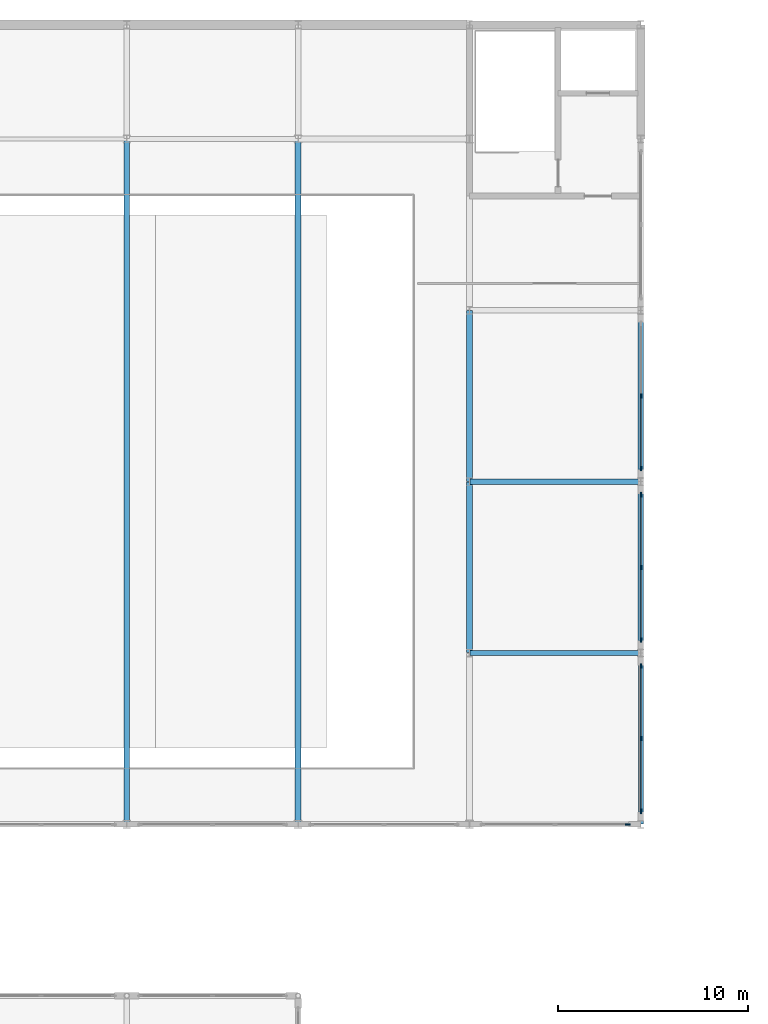
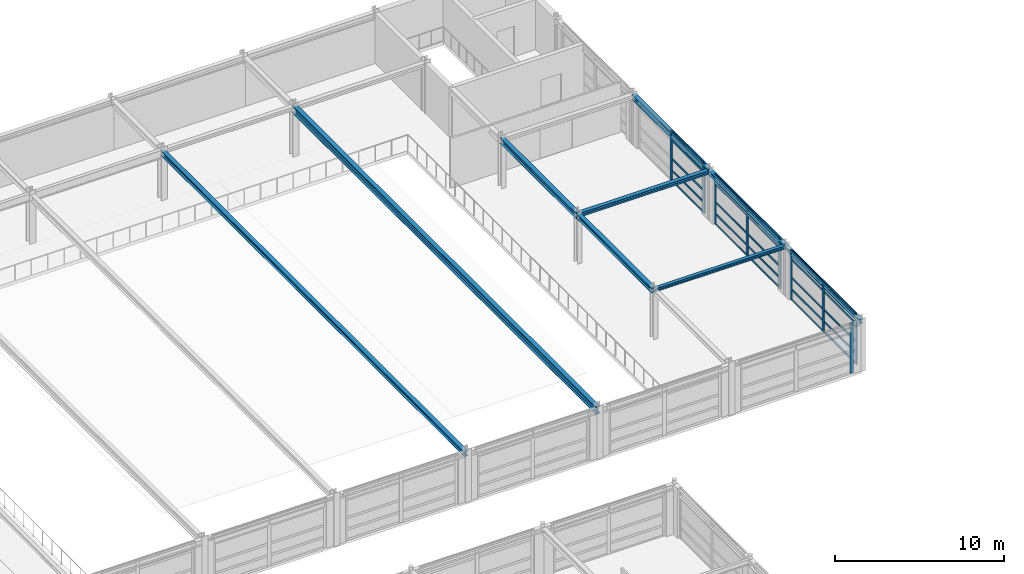
# One storey, part 48 of 79: 36 members, 7 beams, 4 elements without a shape of their own.
"""IFC4 building model written with IfcOpenShell, lengths in metres."""

from ifc_helpers import new_model, si_unit, direction, frame, origin, origin_2d, place, context, subcontext, project, spatial, rectangle, i_section, extrude, material, material_profile, profile_set, type_object, element, aggregate, save


model = new_model("IFC4")

# Units and contexts
model_context = context("Model", 3, precision=1e-05, world=origin(), true_north=direction((0.0, 1.0)))
body_context = subcontext(model_context, "Body", "Model", "MODEL_VIEW")
ifc_project = project(units=[si_unit("LENGTHUNIT", "METRE"), si_unit("AREAUNIT", "SQUARE_METRE"), si_unit("VOLUMEUNIT", "CUBIC_METRE"), si_unit("PLANEANGLEUNIT", "RADIAN"), si_unit("MASSUNIT", "GRAM", prefix="KILO")], contexts=[model_context])

# Site, building, storey
site_placement = place(None, origin())
site = spatial("IfcSite", under=ifc_project, at=site_placement, CompositionType="ELEMENT")
building_placement = place(site_placement, origin())
building = spatial("IfcBuilding", under=site, at=building_placement, Name="Palais des Congres Ocreval", CompositionType="ELEMENT")
storey_placement = place(building_placement, frame((0.0, 0.0, 4.320068359375)))
storey = spatial("IfcBuildingStorey", under=building, at=storey_placement, Name="L01", CompositionType="ELEMENT", Elevation=4.320068359375)

# Curtain wall, members
ifc_material_1 = material(Name="Anodized bronze aluminium and low-E glass", Category="glass")
curtain_wall_type = type_object("IfcCurtainWallType", Name="Unitised Curtain Wall 7900x3660", PredefinedType="USERDEFINED", material=ifc_material_1)
curtain_wall_1_placement = place(storey_placement, origin())
curtain_wall_1 = element("IfcCurtainWall", 1, at=curtain_wall_1_placement, inside=storey, type_object=curtain_wall_type, Name="Unitised Curtain Wall CW02 L01", ObjectType="UNITISED CURTAIN WALL", PredefinedType="USERDEFINED")
ifc_material_2 = material(Name="Anodized bronze aluminium", Category="aluminium")
ifc_material_profile_1 = material_profile(ifc_material_2, rectangle(XDim=0.074951171875, YDim=0.239990234375, at=origin_2d()), Name="ALU 75x240")
ifc_profile_set_1 = profile_set([ifc_material_profile_1], Name="Anodized bronze aluminium")
member_type_1 = type_object("IfcMemberType", Name="Curtain Wall Mullion ALU 75x240", PredefinedType="MULLION", material=ifc_profile_set_1)
member_1_placement = place(storey_placement, frame((162.0, 94.5, 0.0), z_axis=(0.0, 0.0, 1.0), x_axis=(1.0, 0.0, 0.0)))
member_1 = element("IfcMember", 2, at=member_1_placement, type_object=member_type_1, Name="Curtain Wall Mullion ML01", PredefinedType="MULLION", context=body_context, shape_type="SweptSolid", body=[
    extrude(rectangle(XDim=0.074951171875, YDim=0.239990234375, at=origin_2d()), origin(), (0.0, 0.0, 1.0), 3.599853515625),
])
member_2_placement = place(storey_placement, frame((162.0, 90.6875, 0.0), z_axis=(0.0, 0.0, 1.0), x_axis=(1.0, 0.0, 0.0)))
member_2 = element("IfcMember", 3, at=member_2_placement, type_object=member_type_1, Name="Curtain Wall Mullion ML01", PredefinedType="MULLION", context=body_context, shape_type="SweptSolid", body=[
    extrude(rectangle(XDim=0.074951171875, YDim=0.239990234375, at=origin_2d()), origin(), (0.0, 0.0, 1.0), 3.599853515625),
])

curtain_wall_2_placement = place(storey_placement, origin())
curtain_wall_2 = element("IfcCurtainWall", 4, at=curtain_wall_2_placement, inside=storey, type_object=curtain_wall_type, Name="Unitised Curtain Wall CW02 L01", ObjectType="UNITISED CURTAIN WALL", PredefinedType="USERDEFINED")
member_3_placement = place(storey_placement, frame((162.0, 89.3125, 0.0), z_axis=(0.0, 0.0, 1.0), x_axis=(1.0, 0.0, 0.0)))
member_3 = element("IfcMember", 5, at=member_3_placement, type_object=member_type_1, Name="Curtain Wall Mullion ML01", PredefinedType="MULLION", context=body_context, shape_type="SweptSolid", body=[
    extrude(rectangle(XDim=0.074951171875, YDim=0.239990234375, at=origin_2d()), origin(), (0.0, 0.0, 1.0), 3.599853515625),
])
member_4_placement = place(storey_placement, frame((162.0, 85.5, 0.0), z_axis=(0.0, 0.0, 1.0), x_axis=(1.0, 0.0, 0.0)))
member_4 = element("IfcMember", 6, at=member_4_placement, type_object=member_type_1, Name="Curtain Wall Mullion ML01", PredefinedType="MULLION", context=body_context, shape_type="SweptSolid", body=[
    extrude(rectangle(XDim=0.074951171875, YDim=0.239990234375, at=origin_2d()), origin(), (0.0, 0.0, 1.0), 3.599853515625),
])
member_5_placement = place(storey_placement, frame((162.0, 81.6875, 0.0), z_axis=(0.0, 0.0, 1.0), x_axis=(1.0, 0.0, 0.0)))
member_5 = element("IfcMember", 7, at=member_5_placement, type_object=member_type_1, Name="Curtain Wall Mullion ML01", PredefinedType="MULLION", context=body_context, shape_type="SweptSolid", body=[
    extrude(rectangle(XDim=0.074951171875, YDim=0.239990234375, at=origin_2d()), origin(), (0.0, 0.0, 1.0), 3.599853515625),
])

curtain_wall_3_placement = place(storey_placement, origin())
curtain_wall_3 = element("IfcCurtainWall", 8, at=curtain_wall_3_placement, inside=storey, type_object=curtain_wall_type, Name="Unitised Curtain Wall CW02 L01", ObjectType="UNITISED CURTAIN WALL", PredefinedType="USERDEFINED")
member_6_placement = place(storey_placement, frame((162.0, 80.3125, 0.0), z_axis=(0.0, 0.0, 1.0), x_axis=(1.0, 0.0, 0.0)))
member_6 = element("IfcMember", 9, at=member_6_placement, type_object=member_type_1, Name="Curtain Wall Mullion ML01", PredefinedType="MULLION", context=body_context, shape_type="SweptSolid", body=[
    extrude(rectangle(XDim=0.074951171875, YDim=0.239990234375, at=origin_2d()), origin(), (0.0, 0.0, 1.0), 3.599853515625),
])
member_7_placement = place(storey_placement, frame((162.0, 76.5, 0.0), z_axis=(0.0, 0.0, 1.0), x_axis=(1.0, 0.0, 0.0)))
member_7 = element("IfcMember", 10, at=member_7_placement, type_object=member_type_1, Name="Curtain Wall Mullion ML01", PredefinedType="MULLION", context=body_context, shape_type="SweptSolid", body=[
    extrude(rectangle(XDim=0.074951171875, YDim=0.239990234375, at=origin_2d()), origin(), (0.0, 0.0, 1.0), 3.599853515625),
])
member_8_placement = place(storey_placement, frame((162.0, 72.6875, 0.0), z_axis=(0.0, 0.0, 1.0), x_axis=(1.0, 0.0, 0.0)))
member_8 = element("IfcMember", 11, at=member_8_placement, type_object=member_type_1, Name="Curtain Wall Mullion ML01", PredefinedType="MULLION", context=body_context, shape_type="SweptSolid", body=[
    extrude(rectangle(XDim=0.074951171875, YDim=0.239990234375, at=origin_2d()), origin(), (0.0, 0.0, 1.0), 3.599853515625),
])

# Curtain wall, member
curtain_wall_4_placement = place(storey_placement, origin())
curtain_wall_4 = element("IfcCurtainWall", 12, at=curtain_wall_4_placement, inside=storey, type_object=curtain_wall_type, Name="Unitised Curtain Wall CW02 L01", ObjectType="UNITISED CURTAIN WALL", PredefinedType="USERDEFINED")
member_9_placement = place(storey_placement, frame((161.3125, 72.0, 0.0), z_axis=(0.0, 0.0, 1.0), x_axis=(0.0, -1.0, 0.0)))
member_9 = element("IfcMember", 13, at=member_9_placement, type_object=member_type_1, Name="Curtain Wall Mullion ML01", PredefinedType="MULLION", context=body_context, shape_type="SweptSolid", body=[
    extrude(rectangle(XDim=0.074951171875, YDim=0.239990234375, at=origin_2d()), origin(), (0.0, 0.0, 1.0), 3.599853515625),
])
aggregate(curtain_wall_4, [member_9])

# Member
ifc_material_profile_2 = material_profile(ifc_material_2, rectangle(XDim=0.06005859375, YDim=0.14990234375, at=origin_2d()), Name="ALU 60x150")
ifc_profile_set_2 = profile_set([ifc_material_profile_2], Name="Anodized bronze aluminium")
member_type_2 = type_object("IfcMemberType", Name="Curtain Wall Transom ALU 60x150", PredefinedType="USERDEFINED", material=ifc_profile_set_2)
member_10_placement = place(storey_placement, frame((162.0, 94.46240234375, 0.030029296875), z_axis=(0.0, -1.0, 0.0), x_axis=(1.0, 0.0, 0.0)))
member_10 = element("IfcMember", 14, at=member_10_placement, type_object=member_type_2, Name="Curtain Wall Transom TR01", ObjectType="TRANSOM", PredefinedType="USERDEFINED", context=body_context, shape_type="SweptSolid", body=[
    extrude(rectangle(XDim=0.06005859375, YDim=0.14990234375, at=origin_2d()), origin(), (0.0, 0.0, 1.0), 3.7373046875),
])

member_11_placement = place(storey_placement, frame((162.0, 94.46240234375, 0.780029296875), z_axis=(0.0, -1.0, 0.0), x_axis=(1.0, 0.0, 0.0)))
member_11 = element("IfcMember", 15, at=member_11_placement, type_object=member_type_2, Name="Curtain Wall Transom TR01", ObjectType="TRANSOM", PredefinedType="USERDEFINED", context=body_context, shape_type="SweptSolid", body=[
    extrude(rectangle(XDim=0.06005859375, YDim=0.14990234375, at=origin_2d()), origin(), (0.0, 0.0, 1.0), 3.7373046875),
])

member_12_placement = place(storey_placement, frame((162.0, 94.46240234375, 1.622314453125), z_axis=(0.0, -1.0, 0.0), x_axis=(1.0, 0.0, 0.0)))
member_12 = element("IfcMember", 16, at=member_12_placement, type_object=member_type_2, Name="Curtain Wall Transom TR01", ObjectType="TRANSOM", PredefinedType="USERDEFINED", context=body_context, shape_type="SweptSolid", body=[
    extrude(rectangle(XDim=0.06005859375, YDim=0.14990234375, at=origin_2d()), origin(), (0.0, 0.0, 1.0), 3.7373046875),
])

member_13_placement = place(storey_placement, frame((162.0, 94.46240234375, 2.949951171875), z_axis=(0.0, -1.0, 0.0), x_axis=(1.0, 0.0, 0.0)))
member_13 = element("IfcMember", 17, at=member_13_placement, type_object=member_type_2, Name="Curtain Wall Transom TR01", ObjectType="TRANSOM", PredefinedType="USERDEFINED", context=body_context, shape_type="SweptSolid", body=[
    extrude(rectangle(XDim=0.06005859375, YDim=0.14990234375, at=origin_2d()), origin(), (0.0, 0.0, 1.0), 3.7373046875),
])

member_14_placement = place(storey_placement, frame((162.0, 94.46240234375, 3.56982421875), z_axis=(0.0, -1.0, 0.0), x_axis=(1.0, 0.0, 0.0)))
member_14 = element("IfcMember", 18, at=member_14_placement, type_object=member_type_2, Name="Curtain Wall Transom TR01", ObjectType="TRANSOM", PredefinedType="USERDEFINED", context=body_context, shape_type="SweptSolid", body=[
    extrude(rectangle(XDim=0.06005859375, YDim=0.14990234375, at=origin_2d()), origin(), (0.0, 0.0, 1.0), 3.7373046875),
])

aggregate(curtain_wall_1, [member_1, member_2, member_10, member_11, member_12, member_13, member_14])

member_15_placement = place(storey_placement, frame((162.0, 89.27490234375, 0.030029296875), z_axis=(0.0, -1.0, 0.0), x_axis=(1.0, 0.0, 0.0)))
member_15 = element("IfcMember", 19, at=member_15_placement, type_object=member_type_2, Name="Curtain Wall Transom TR01", ObjectType="TRANSOM", PredefinedType="USERDEFINED", context=body_context, shape_type="SweptSolid", body=[
    extrude(rectangle(XDim=0.06005859375, YDim=0.14990234375, at=origin_2d()), origin(), (0.0, 0.0, 1.0), 3.7373046875),
])

member_16_placement = place(storey_placement, frame((162.0, 89.27490234375, 0.780029296875), z_axis=(0.0, -1.0, 0.0), x_axis=(1.0, 0.0, 0.0)))
member_16 = element("IfcMember", 20, at=member_16_placement, type_object=member_type_2, Name="Curtain Wall Transom TR01", ObjectType="TRANSOM", PredefinedType="USERDEFINED", context=body_context, shape_type="SweptSolid", body=[
    extrude(rectangle(XDim=0.06005859375, YDim=0.14990234375, at=origin_2d()), origin(), (0.0, 0.0, 1.0), 3.7373046875),
])

member_17_placement = place(storey_placement, frame((162.0, 89.27490234375, 1.622314453125), z_axis=(0.0, -1.0, 0.0), x_axis=(1.0, 0.0, 0.0)))
member_17 = element("IfcMember", 21, at=member_17_placement, type_object=member_type_2, Name="Curtain Wall Transom TR01", ObjectType="TRANSOM", PredefinedType="USERDEFINED", context=body_context, shape_type="SweptSolid", body=[
    extrude(rectangle(XDim=0.06005859375, YDim=0.14990234375, at=origin_2d()), origin(), (0.0, 0.0, 1.0), 3.7373046875),
])

member_18_placement = place(storey_placement, frame((162.0, 89.27490234375, 2.949951171875), z_axis=(0.0, -1.0, 0.0), x_axis=(1.0, 0.0, 0.0)))
member_18 = element("IfcMember", 22, at=member_18_placement, type_object=member_type_2, Name="Curtain Wall Transom TR01", ObjectType="TRANSOM", PredefinedType="USERDEFINED", context=body_context, shape_type="SweptSolid", body=[
    extrude(rectangle(XDim=0.06005859375, YDim=0.14990234375, at=origin_2d()), origin(), (0.0, 0.0, 1.0), 3.7373046875),
])

member_19_placement = place(storey_placement, frame((162.0, 89.27490234375, 3.56982421875), z_axis=(0.0, -1.0, 0.0), x_axis=(1.0, 0.0, 0.0)))
member_19 = element("IfcMember", 23, at=member_19_placement, type_object=member_type_2, Name="Curtain Wall Transom TR01", ObjectType="TRANSOM", PredefinedType="USERDEFINED", context=body_context, shape_type="SweptSolid", body=[
    extrude(rectangle(XDim=0.06005859375, YDim=0.14990234375, at=origin_2d()), origin(), (0.0, 0.0, 1.0), 3.7373046875),
])

member_20_placement = place(storey_placement, frame((162.0, 85.46240234375, 0.030029296875), z_axis=(0.0, -1.0, 0.0), x_axis=(1.0, 0.0, 0.0)))
member_20 = element("IfcMember", 24, at=member_20_placement, type_object=member_type_2, Name="Curtain Wall Transom TR01", ObjectType="TRANSOM", PredefinedType="USERDEFINED", context=body_context, shape_type="SweptSolid", body=[
    extrude(rectangle(XDim=0.06005859375, YDim=0.14990234375, at=origin_2d()), origin(), (0.0, 0.0, 1.0), 3.7373046875),
])

member_21_placement = place(storey_placement, frame((162.0, 85.46240234375, 0.780029296875), z_axis=(0.0, -1.0, 0.0), x_axis=(1.0, 0.0, 0.0)))
member_21 = element("IfcMember", 25, at=member_21_placement, type_object=member_type_2, Name="Curtain Wall Transom TR01", ObjectType="TRANSOM", PredefinedType="USERDEFINED", context=body_context, shape_type="SweptSolid", body=[
    extrude(rectangle(XDim=0.06005859375, YDim=0.14990234375, at=origin_2d()), origin(), (0.0, 0.0, 1.0), 3.7373046875),
])

member_22_placement = place(storey_placement, frame((162.0, 85.46240234375, 1.622314453125), z_axis=(0.0, -1.0, 0.0), x_axis=(1.0, 0.0, 0.0)))
member_22 = element("IfcMember", 26, at=member_22_placement, type_object=member_type_2, Name="Curtain Wall Transom TR01", ObjectType="TRANSOM", PredefinedType="USERDEFINED", context=body_context, shape_type="SweptSolid", body=[
    extrude(rectangle(XDim=0.06005859375, YDim=0.14990234375, at=origin_2d()), origin(), (0.0, 0.0, 1.0), 3.7373046875),
])

member_23_placement = place(storey_placement, frame((162.0, 85.46240234375, 2.949951171875), z_axis=(0.0, -1.0, 0.0), x_axis=(1.0, 0.0, 0.0)))
member_23 = element("IfcMember", 27, at=member_23_placement, type_object=member_type_2, Name="Curtain Wall Transom TR01", ObjectType="TRANSOM", PredefinedType="USERDEFINED", context=body_context, shape_type="SweptSolid", body=[
    extrude(rectangle(XDim=0.06005859375, YDim=0.14990234375, at=origin_2d()), origin(), (0.0, 0.0, 1.0), 3.7373046875),
])

member_24_placement = place(storey_placement, frame((162.0, 85.46240234375, 3.56982421875), z_axis=(0.0, -1.0, 0.0), x_axis=(1.0, 0.0, 0.0)))
member_24 = element("IfcMember", 28, at=member_24_placement, type_object=member_type_2, Name="Curtain Wall Transom TR01", ObjectType="TRANSOM", PredefinedType="USERDEFINED", context=body_context, shape_type="SweptSolid", body=[
    extrude(rectangle(XDim=0.06005859375, YDim=0.14990234375, at=origin_2d()), origin(), (0.0, 0.0, 1.0), 3.7373046875),
])

aggregate(curtain_wall_2, [member_3, member_4, member_5, member_15, member_16, member_17, member_18, member_19, member_20, member_21, member_22, member_23, member_24])

member_25_placement = place(storey_placement, frame((162.0, 80.27490234375, 0.030029296875), z_axis=(0.0, -1.0, 0.0), x_axis=(1.0, 0.0, 0.0)))
member_25 = element("IfcMember", 29, at=member_25_placement, type_object=member_type_2, Name="Curtain Wall Transom TR01", ObjectType="TRANSOM", PredefinedType="USERDEFINED", context=body_context, shape_type="SweptSolid", body=[
    extrude(rectangle(XDim=0.06005859375, YDim=0.14990234375, at=origin_2d()), origin(), (0.0, 0.0, 1.0), 3.7373046875),
])

member_26_placement = place(storey_placement, frame((162.0, 80.27490234375, 0.780029296875), z_axis=(0.0, -1.0, 0.0), x_axis=(1.0, 0.0, 0.0)))
member_26 = element("IfcMember", 30, at=member_26_placement, type_object=member_type_2, Name="Curtain Wall Transom TR01", ObjectType="TRANSOM", PredefinedType="USERDEFINED", context=body_context, shape_type="SweptSolid", body=[
    extrude(rectangle(XDim=0.06005859375, YDim=0.14990234375, at=origin_2d()), origin(), (0.0, 0.0, 1.0), 3.7373046875),
])

member_27_placement = place(storey_placement, frame((162.0, 80.27490234375, 1.622314453125), z_axis=(0.0, -1.0, 0.0), x_axis=(1.0, 0.0, 0.0)))
member_27 = element("IfcMember", 31, at=member_27_placement, type_object=member_type_2, Name="Curtain Wall Transom TR01", ObjectType="TRANSOM", PredefinedType="USERDEFINED", context=body_context, shape_type="SweptSolid", body=[
    extrude(rectangle(XDim=0.06005859375, YDim=0.14990234375, at=origin_2d()), origin(), (0.0, 0.0, 1.0), 3.7373046875),
])

member_28_placement = place(storey_placement, frame((162.0, 80.27490234375, 2.949951171875), z_axis=(0.0, -1.0, 0.0), x_axis=(1.0, 0.0, 0.0)))
member_28 = element("IfcMember", 32, at=member_28_placement, type_object=member_type_2, Name="Curtain Wall Transom TR01", ObjectType="TRANSOM", PredefinedType="USERDEFINED", context=body_context, shape_type="SweptSolid", body=[
    extrude(rectangle(XDim=0.06005859375, YDim=0.14990234375, at=origin_2d()), origin(), (0.0, 0.0, 1.0), 3.7373046875),
])

member_29_placement = place(storey_placement, frame((162.0, 80.27490234375, 3.56982421875), z_axis=(0.0, -1.0, 0.0), x_axis=(1.0, 0.0, 0.0)))
member_29 = element("IfcMember", 33, at=member_29_placement, type_object=member_type_2, Name="Curtain Wall Transom TR01", ObjectType="TRANSOM", PredefinedType="USERDEFINED", context=body_context, shape_type="SweptSolid", body=[
    extrude(rectangle(XDim=0.06005859375, YDim=0.14990234375, at=origin_2d()), origin(), (0.0, 0.0, 1.0), 3.7373046875),
])

member_30_placement = place(storey_placement, frame((162.0, 76.46240234375, 0.030029296875), z_axis=(0.0, -1.0, 0.0), x_axis=(1.0, 0.0, 0.0)))
member_30 = element("IfcMember", 34, at=member_30_placement, type_object=member_type_2, Name="Curtain Wall Transom TR01", ObjectType="TRANSOM", PredefinedType="USERDEFINED", context=body_context, shape_type="SweptSolid", body=[
    extrude(rectangle(XDim=0.06005859375, YDim=0.14990234375, at=origin_2d()), origin(), (0.0, 0.0, 1.0), 3.7373046875),
])

member_31_placement = place(storey_placement, frame((162.0, 76.46240234375, 0.780029296875), z_axis=(0.0, -1.0, 0.0), x_axis=(1.0, 0.0, 0.0)))
member_31 = element("IfcMember", 35, at=member_31_placement, type_object=member_type_2, Name="Curtain Wall Transom TR01", ObjectType="TRANSOM", PredefinedType="USERDEFINED", context=body_context, shape_type="SweptSolid", body=[
    extrude(rectangle(XDim=0.06005859375, YDim=0.14990234375, at=origin_2d()), origin(), (0.0, 0.0, 1.0), 3.7373046875),
])

member_32_placement = place(storey_placement, frame((162.0, 76.46240234375, 1.622314453125), z_axis=(0.0, -1.0, 0.0), x_axis=(1.0, 0.0, 0.0)))
member_32 = element("IfcMember", 36, at=member_32_placement, type_object=member_type_2, Name="Curtain Wall Transom TR01", ObjectType="TRANSOM", PredefinedType="USERDEFINED", context=body_context, shape_type="SweptSolid", body=[
    extrude(rectangle(XDim=0.06005859375, YDim=0.14990234375, at=origin_2d()), origin(), (0.0, 0.0, 1.0), 3.7373046875),
])

member_33_placement = place(storey_placement, frame((162.0, 76.46240234375, 2.949951171875), z_axis=(0.0, -1.0, 0.0), x_axis=(1.0, 0.0, 0.0)))
member_33 = element("IfcMember", 37, at=member_33_placement, type_object=member_type_2, Name="Curtain Wall Transom TR01", ObjectType="TRANSOM", PredefinedType="USERDEFINED", context=body_context, shape_type="SweptSolid", body=[
    extrude(rectangle(XDim=0.06005859375, YDim=0.14990234375, at=origin_2d()), origin(), (0.0, 0.0, 1.0), 3.7373046875),
])

member_34_placement = place(storey_placement, frame((162.0, 76.46240234375, 3.56982421875), z_axis=(0.0, -1.0, 0.0), x_axis=(1.0, 0.0, 0.0)))
member_34 = element("IfcMember", 38, at=member_34_placement, type_object=member_type_2, Name="Curtain Wall Transom TR01", ObjectType="TRANSOM", PredefinedType="USERDEFINED", context=body_context, shape_type="SweptSolid", body=[
    extrude(rectangle(XDim=0.06005859375, YDim=0.14990234375, at=origin_2d()), origin(), (0.0, 0.0, 1.0), 3.7373046875),
])

aggregate(curtain_wall_3, [member_6, member_7, member_8, member_25, member_26, member_27, member_28, member_29, member_30, member_31, member_32, member_33, member_34])

# Beams
ifc_material_3 = material(Name="Steel S355", Category="steel")
ifc_material_profile_3 = material_profile(ifc_material_3, i_section(OverallWidth=0.260009765625, OverallDepth=0.260009765625, WebThickness=0.010009765625, FlangeThickness=0.017578125, at=origin_2d()), Name="HEB 260")
ifc_profile_set_3 = profile_set([ifc_material_profile_3], Name="Steel S355")
beam_type_1 = type_object("IfcBeamType", Name="Opening Lintel HEB 260 Steel S355", PredefinedType="LINTEL", material=ifc_profile_set_3)
beam_1_placement = place(storey_placement, frame((162.0, 72.02001953125, 3.449951171875), z_axis=(0.0, 1.0, 0.0), x_axis=(-1.0, 0.0, 0.0)))
element("IfcBeam", 39, at=beam_1_placement, inside=storey, type_object=beam_type_1, Name="Girder LN01 L01", PredefinedType="LINTEL", context=body_context, shape_type="SweptSolid", body=[
    extrude(i_section(OverallWidth=0.260009765625, OverallDepth=0.260009765625, WebThickness=0.010009765625, FlangeThickness=0.017578125, at=origin_2d()), origin(), (0.0, 0.0, 1.0), 8.9599609375),
])
ifc_material_profile_4 = material_profile(ifc_material_3, i_section(OverallWidth=0.239990234375, OverallDepth=0.22998046875, WebThickness=0.007568359375, FlangeThickness=0.011962890625, at=origin_2d()), Name="HEA 240")
ifc_profile_set_4 = profile_set([ifc_material_profile_4], Name="Steel S355")
beam_type_2 = type_object("IfcBeamType", Name="Perimeter Spandrel HEA 240 Steel S355", PredefinedType="SPANDREL", material=ifc_profile_set_4)
beam_2_placement = place(storey_placement, frame((153.02001953125, 81.0, 3.46484375), z_axis=(1.0, 0.0, 0.0), x_axis=(0.0, 1.0, 0.0)))
element("IfcBeam", 40, at=beam_2_placement, inside=storey, type_object=beam_type_2, Name="Beam SP01 L01", PredefinedType="SPANDREL", context=body_context, shape_type="SweptSolid", body=[
    extrude(i_section(OverallWidth=0.239990234375, OverallDepth=0.22998046875, WebThickness=0.007568359375, FlangeThickness=0.011962890625, at=origin_2d()), origin(), (0.0, 0.0, 1.0), 8.9599609375),
])
ifc_material_profile_5 = material_profile(ifc_material_3, i_section(OverallWidth=0.300048828125, OverallDepth=0.300048828125, WebThickness=0.010986328125, FlangeThickness=0.01904296875, at=origin_2d()), Name="HEB 300")
ifc_profile_set_5 = profile_set([ifc_material_profile_5], Name="Steel S355")
beam_type_3 = type_object("IfcBeamType", Name="Perimeter Spandrel HEB 300 Steel S355", PredefinedType="SPANDREL", material=ifc_profile_set_5)
beam_3_placement = place(storey_placement, frame((162.0, 81.02001953125, 3.429931640625), z_axis=(0.0, 1.0, 0.0), x_axis=(-1.0, 0.0, 0.0)))
element("IfcBeam", 41, at=beam_3_placement, inside=storey, type_object=beam_type_3, Name="Girder SP02 L01", PredefinedType="SPANDREL", context=body_context, shape_type="SweptSolid", body=[
    extrude(i_section(OverallWidth=0.300048828125, OverallDepth=0.300048828125, WebThickness=0.010986328125, FlangeThickness=0.01904296875, at=origin_2d()), origin(), (0.0, 0.0, 1.0), 8.9599609375),
])
ifc_material_profile_6 = material_profile(ifc_material_3, i_section(OverallWidth=0.300048828125, OverallDepth=0.360107421875, WebThickness=0.012451171875, FlangeThickness=0.0224609375, at=origin_2d()), Name="HEB 360")
ifc_profile_set_6 = profile_set([ifc_material_profile_6], Name="Steel S355")
beam_type_4 = type_object("IfcBeamType", Name="Perimeter Spandrel HEB 360 Steel S355", PredefinedType="SPANDREL", material=ifc_profile_set_6)
beam_4_placement = place(storey_placement, frame((162.0, 90.02001953125, 3.39990234375), z_axis=(0.0, 1.0, 0.0), x_axis=(-1.0, 0.0, 0.0)))
element("IfcBeam", 42, at=beam_4_placement, inside=storey, type_object=beam_type_4, Name="Girder SP03 L01", PredefinedType="SPANDREL", context=body_context, shape_type="SweptSolid", body=[
    extrude(i_section(OverallWidth=0.300048828125, OverallDepth=0.360107421875, WebThickness=0.012451171875, FlangeThickness=0.0224609375, at=origin_2d()), origin(), (0.0, 0.0, 1.0), 8.9599609375),
])
ifc_material_profile_7 = material_profile(ifc_material_3, i_section(OverallWidth=0.280029296875, OverallDepth=0.27001953125, WebThickness=0.008056640625, FlangeThickness=0.012939453125, at=origin_2d()), Name="HEA 280")
ifc_profile_set_7 = profile_set([ifc_material_profile_7], Name="Steel S355")
beam_type_5 = type_object("IfcBeamType", Name="Primary Beam HEA 280 Steel S355", PredefinedType="BEAM", material=ifc_profile_set_7)
beam_5_placement = place(storey_placement, frame((153.02001953125, 90.0, 3.44482421875), z_axis=(1.0, 0.0, 0.0), x_axis=(0.0, 1.0, 0.0)))
element("IfcBeam", 43, at=beam_5_placement, inside=storey, type_object=beam_type_5, Name="Beam B07 L01", PredefinedType="BEAM", context=body_context, shape_type="SweptSolid", body=[
    extrude(i_section(OverallWidth=0.280029296875, OverallDepth=0.27001953125, WebThickness=0.008056640625, FlangeThickness=0.012939453125, at=origin_2d()), origin(), (0.0, 0.0, 1.0), 8.9599609375),
])
ifc_material_profile_8 = material_profile(ifc_material_3, i_section(OverallWidth=0.300048828125, OverallDepth=0.330078125, WebThickness=0.009521484375, FlangeThickness=0.0166015625, at=origin_2d()), Name="HEA 340")
ifc_profile_set_8 = profile_set([ifc_material_profile_8], Name="Steel S355")
beam_type_6 = type_object("IfcBeamType", Name="Primary Beam HEA 340 Steel S355", PredefinedType="BEAM", material=ifc_profile_set_8)
beam_6_placement = place(storey_placement, frame((153.0, 81.02001953125, 3.4150390625), z_axis=(0.0, 1.0, 0.0), x_axis=(-1.0, 0.0, 0.0)))
element("IfcBeam", 44, at=beam_6_placement, inside=storey, type_object=beam_type_6, Name="Girder B09 L01", PredefinedType="BEAM", context=body_context, shape_type="SweptSolid", body=[
    extrude(i_section(OverallWidth=0.300048828125, OverallDepth=0.330078125, WebThickness=0.009521484375, FlangeThickness=0.0166015625, at=origin_2d()), origin(), (0.0, 0.0, 1.0), 8.9599609375),
])
ifc_material_profile_9 = material_profile(ifc_material_3, i_section(OverallWidth=0.300048828125, OverallDepth=0.389892578125, WebThickness=0.010986328125, FlangeThickness=0.01904296875, at=origin_2d()), Name="HEA 400")
ifc_profile_set_9 = profile_set([ifc_material_profile_9], Name="Steel S355")
beam_type_7 = type_object("IfcBeamType", Name="Primary Beam HEA 400 Steel S355", PredefinedType="BEAM", material=ifc_profile_set_9)
beam_7_placement = place(storey_placement, frame((153.0, 90.02001953125, 3.385009765625), z_axis=(0.0, 1.0, 0.0), x_axis=(-1.0, 0.0, 0.0)))
element("IfcBeam", 45, at=beam_7_placement, inside=storey, type_object=beam_type_7, Name="Girder B10 L01", PredefinedType="BEAM", context=body_context, shape_type="SweptSolid", body=[
    extrude(i_section(OverallWidth=0.300048828125, OverallDepth=0.389892578125, WebThickness=0.010986328125, FlangeThickness=0.01904296875, at=origin_2d()), origin(), (0.0, 0.0, 1.0), 8.9599609375),
])

# Members
ifc_material_profile_10 = material_profile(ifc_material_3, i_section(OverallWidth=0.300048828125, OverallDepth=0.340087890625, WebThickness=0.011962890625, FlangeThickness=0.021484375, at=origin_2d()), Name="HEB 340")
ifc_profile_set_10 = profile_set([ifc_material_profile_10], Name="Steel S355")
member_type_3 = type_object("IfcMemberType", Name="ROOF TRUSS Chord HEB 340 Steel S355", PredefinedType="CHORD", material=ifc_profile_set_10)
member_35_placement = place(storey_placement, frame((135.0, 72.02001953125, 3.33984375), z_axis=(0.0, 1.0, 0.0), x_axis=(-1.0, 0.0, 0.0)))
element("IfcMember", 46, at=member_35_placement, inside=storey, type_object=member_type_3, Name="Transfer Truss Bottom Chord V2-135", PredefinedType="CHORD", context=body_context, shape_type="SweptSolid", body=[
    extrude(i_section(OverallWidth=0.300048828125, OverallDepth=0.340087890625, WebThickness=0.011962890625, FlangeThickness=0.021484375, at=origin_2d()), origin(), (0.0, 0.0, 1.0), 35.9599609375),
])
ifc_material_4 = material(Name="Steel S460", Category="steel")
ifc_material_profile_11 = material_profile(ifc_material_4, i_section(OverallWidth=0.305908203125, OverallDepth=0.52392578125, WebThickness=0.02099609375, FlangeThickness=0.0400390625, at=origin_2d()), Name="HEM 500")
ifc_profile_set_11 = profile_set([ifc_material_profile_11], Name="Steel S460")
member_type_4 = type_object("IfcMemberType", Name="Transfer Truss Chord HEM 500 Steel S460", PredefinedType="CHORD", material=ifc_profile_set_11)
member_36_placement = place(storey_placement, frame((144.0, 72.02001953125, 3.33984375), z_axis=(0.0, 1.0, 0.0), x_axis=(-1.0, 0.0, 0.0)))
element("IfcMember", 47, at=member_36_placement, inside=storey, type_object=member_type_4, Name="Transfer Truss Bottom Chord V2-144", PredefinedType="CHORD", context=body_context, shape_type="SweptSolid", body=[
    extrude(i_section(OverallWidth=0.305908203125, OverallDepth=0.52392578125, WebThickness=0.02099609375, FlangeThickness=0.0400390625, at=origin_2d()), origin(), (0.0, 0.0, 1.0), 35.9599609375),
])

save(model, "model.ifc")
